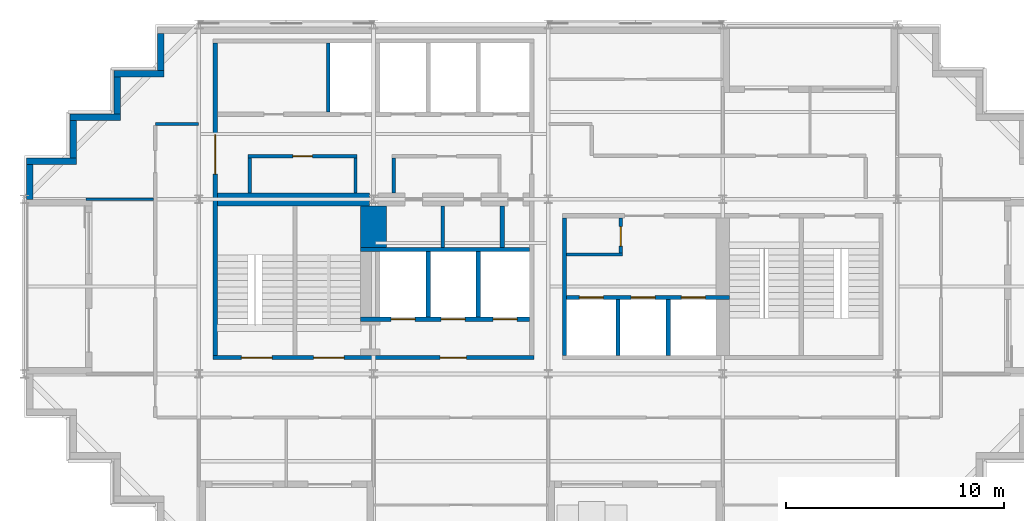
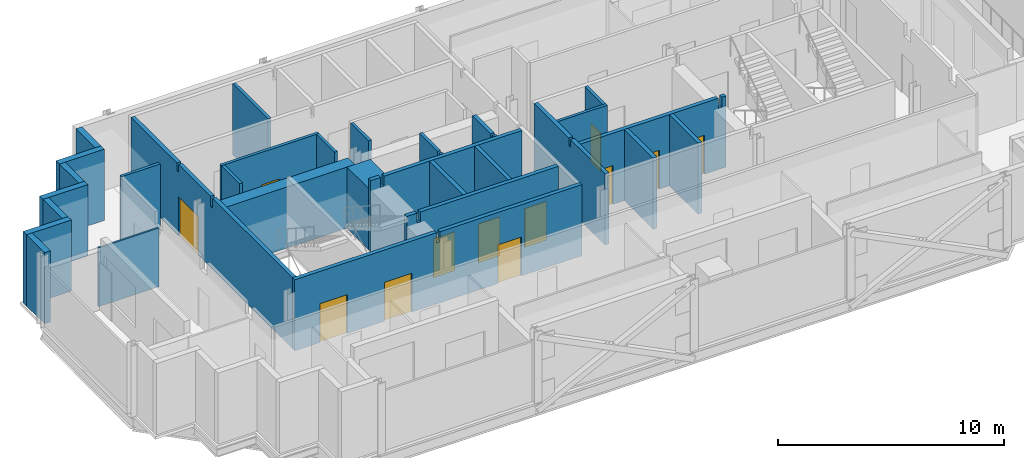
# One storey, part 5 of 10: 30 walls, 12 doors, 12 openings.
"""IFC4 building model written with IfcOpenShell, lengths in metres."""

from ifc_helpers import new_model, si_unit, direction, frame, frame_2d, origin, place, context, subcontext, project, spatial, polyline, rectangle, outline, extrude, material, layer, layer_set, type_object, element, fill, save


model = new_model("IFC4")

# Units and contexts
model_context = context("Model", 3, precision=1e-05, world=origin(), true_north=direction((0.0, 1.0)))
body_context = subcontext(model_context, "Body", "Model", "MODEL_VIEW")
ifc_project = project(units=[si_unit("LENGTHUNIT", "METRE"), si_unit("AREAUNIT", "SQUARE_METRE"), si_unit("VOLUMEUNIT", "CUBIC_METRE"), si_unit("PLANEANGLEUNIT", "RADIAN"), si_unit("MASSUNIT", "GRAM", prefix="KILO")], contexts=[model_context])

# Site, building, storey
site_placement = place(None, origin())
site = spatial("IfcSite", under=ifc_project, at=site_placement, CompositionType="ELEMENT")
building_placement = place(site_placement, origin())
building = spatial("IfcBuilding", under=site, at=building_placement, Name="Immortelle Media Tower", CompositionType="ELEMENT")
storey_placement = place(building_placement, frame((0.0, 0.0, 263.0)))
storey = spatial("IfcBuildingStorey", under=building, at=storey_placement, Name="L57", CompositionType="ELEMENT", Elevation=263.0)

# Wall
ifc_material_1 = material(Name="Fire-rated gypsum board", Category="gypsum")
ifc_layer_1 = layer(ifc_material_1, 0.02490234375)
ifc_material_2 = material(Name="Steel ASTM A653 SS Gr 50 stud frame with mineral wool", Category="steel")
ifc_layer_2 = layer(ifc_material_2, 0.10009765625)
ifc_layer_3 = layer(ifc_material_1, 0.02490234375)
ifc_layer_set_1 = layer_set([ifc_layer_1, ifc_layer_2, ifc_layer_3], Name="Steel ASTM A653 SS Gr 50 stud frame with mineral wool")
wall_type_1 = type_object("IfcWallType", Name="Core partition 150", PredefinedType="PARTITIONING", material=ifc_layer_set_1)
wall_1_placement = place(storey_placement, frame((10.324951171875, 16.300048828125, 0.0), z_axis=(0.0, 0.0, 1.0), x_axis=(0.0, 1.0, 0.0)))
element("IfcWall", 1, at=wall_1_placement, inside=storey, type_object=wall_type_1, Name="Core partition SW", PredefinedType="PARTITIONING", context=body_context, shape_type="SweptSolid", body=[
    extrude(rectangle(XDim=1.599853515625, YDim=0.14990234375, at=frame_2d((0.7998046875, 0.0))), origin(), (0.0, 0.0, 1.0), 3.85009765625),
])

# Wall, opening, door
wall_2_placement = place(storey_placement, frame((10.25, 17.97509765625, 0.0), z_axis=(0.0, 0.0, 1.0), x_axis=(1.0, 0.0, 0.0)))
wall_2 = element("IfcWall", 2, at=wall_2_placement, inside=storey, type_object=wall_type_1, Name="Core partition SW", PredefinedType="PARTITIONING", context=body_context, shape_type="SweptSolid", body=[
    extrude(rectangle(XDim=5.0, YDim=0.14990234375, at=frame_2d((2.5, 0.0))), origin(), (0.0, 0.0, 1.0), 3.85009765625),
])
opening_1_placement = place(wall_2_placement, frame((2.949951171875, 0.0, 0.0), z_axis=(0.0, 0.0, 1.0), x_axis=(-1.0, 0.0, 0.0)))
opening_1 = element("IfcOpeningElement", 3, at=opening_1_placement, cuts=wall_2, Name="Opening X2-K004", PredefinedType="OPENING", context=body_context, shape_type="SweptSolid", body=[
    extrude(rectangle(XDim=0.89990234375, YDim=2.10009765625, at=frame_2d((0.449951171875, 1.050048828125))), frame((0.0, 0.0849609375, 0.0), z_axis=(0.0, -1.0, 0.0), x_axis=(1.0, 0.0, 0.0)), (0.0, 0.0, 1.0), 0.169921875),
])
ifc_material_3 = material(Name="Timber", Category="wood")
door_type_1 = type_object("IfcDoorType", Name="Room door 900 x 2100", OperationType="NOTDEFINED", PredefinedType="NOTDEFINED", material=ifc_material_3)
door_1_placement = place(opening_1_placement, origin())
door_1 = element("IfcDoor", 4, at=door_1_placement, inside=storey, type_object=door_type_1, Name="Room X2-K004", OperationType="SINGLE_SWING_RIGHT", OverallHeight=2.10009765625, OverallWidth=0.89990234375, PredefinedType="NOTDEFINED", context=body_context, shape_type="SweptSolid", body=[
    extrude(rectangle(XDim=0.89990234375, YDim=2.10009765625, at=frame_2d((0.449951171875, 1.050048828125))), frame((0.0, 0.02490234375, 0.0), z_axis=(0.0, -1.0, 0.0), x_axis=(1.0, 0.0, 0.0)), (0.0, 0.0, 1.0), 0.050048828125),
])
fill(opening_1, door_1)

# Walls
wall_3_placement = place(storey_placement, frame((13.925048828125, 20.0, 0.0), z_axis=(0.0, 0.0, 1.0), x_axis=(0.0, 1.0, 0.0)))
element("IfcWall", 5, at=wall_3_placement, inside=storey, type_object=wall_type_1, Name="Core partition SW", PredefinedType="PARTITIONING", context=body_context, shape_type="SweptSolid", body=[
    extrude(rectangle(XDim=3.14990234375, YDim=0.14990234375, at=frame_2d((1.574951171875, 0.0))), origin(), (0.0, 0.0, 1.0), 3.85009765625),
])
for number, where, z_axis, x_axis, name in (
    (6, (15.175048828125, 16.300048828125, 0.0), (0.0, 0.0, 1.0), (0.0, 1.0, 0.0), "Core partition SW"),
    (7, (16.925048828125, 16.300048828125, 0.0), (0.0, 0.0, 1.0), (0.0, 1.0, 0.0), "Core partition SW"),
):
    element("IfcWall", number, at=place(storey_placement, frame(where, z_axis=z_axis, x_axis=x_axis)), inside=storey, type_object=wall_type_1, Name=name, PredefinedType="PARTITIONING", context=body_context, shape_type="SweptSolid", body=[
        extrude(rectangle(XDim=1.599853515625, YDim=0.14990234375, at=frame_2d((0.7998046875, 0.0))), origin(), (0.0, 0.0, 1.0), 3.85009765625),
    ])
wall_4_placement = place(storey_placement, frame((19.175048828125, 13.800048828125, 0.0), z_axis=(0.0, 0.0, 1.0), x_axis=(0.0, 1.0, 0.0)))
element("IfcWall", 8, at=wall_4_placement, inside=storey, type_object=wall_type_1, Name="Core partition SW", PredefinedType="PARTITIONING", context=body_context, shape_type="SweptSolid", body=[
    extrude(outline(polyline([(0.0, 0.0), (1.89990234375, 0.0), (1.89990234375, 3.85009765625), (0.27490234375, 3.85009765625), (0.27392578125, 3.43994140625), (0.1259765625, 3.43994140625), (0.125, 3.85009765625), (0.0, 3.85009765625), (0.0, 0.0)])), frame((0.0, 0.074951171875, 0.0), z_axis=(0.0, -1.0, 0.0), x_axis=(1.0, 0.0, 0.0)), (0.0, 0.0, 1.0), 0.14990234375),
])
wall_5_placement = place(storey_placement, frame((24.85009765625, 13.47509765625, 0.0), z_axis=(0.0, 0.0, 1.0), x_axis=(1.0, 0.0, 0.0)))
element("IfcWall", 9, at=wall_5_placement, inside=storey, type_object=wall_type_1, Name="Core partition SE", PredefinedType="PARTITIONING", context=body_context, shape_type="SweptSolid", body=[
    extrude(rectangle(XDim=2.5498046875, YDim=0.14990234375, at=frame_2d((1.27490234375, 0.0))), origin(), (0.0, 0.0, 1.0), 3.85009765625),
])

# Wall, opening, door
wall_6_placement = place(storey_placement, frame((27.324951171875, 13.550048828125, 0.0), z_axis=(0.0, 0.0, 1.0), x_axis=(0.0, 1.0, 0.0)))
wall_6 = element("IfcWall", 10, at=wall_6_placement, inside=storey, type_object=wall_type_1, Name="Core partition SE", PredefinedType="PARTITIONING", context=body_context, shape_type="SweptSolid", body=[
    extrude(rectangle(XDim=1.599853515625, YDim=0.14990234375, at=frame_2d((0.7998046875, 0.0))), origin(), (0.0, 0.0, 1.0), 3.85009765625),
])
opening_2_placement = place(wall_6_placement, frame((0.300048828125, 0.0, 0.0)))
opening_2 = element("IfcOpeningElement", 11, at=opening_2_placement, cuts=wall_6, Name="Opening X2-K021", PredefinedType="OPENING", context=body_context, shape_type="SweptSolid", body=[
    extrude(rectangle(XDim=0.89990234375, YDim=2.10009765625, at=frame_2d((0.449951171875, 1.050048828125))), frame((0.0, 0.0849609375, 0.0), z_axis=(0.0, -1.0, 0.0), x_axis=(1.0, 0.0, 0.0)), (0.0, 0.0, 1.0), 0.169921875),
])
ifc_material_4 = material(Name="Galvanised steel door leaf and frame ASTM A653", Category="steel")
door_type_2 = type_object("IfcDoorType", Name="Service door 900 x 2100", OperationType="NOTDEFINED", PredefinedType="NOTDEFINED", material=ifc_material_4)
door_2_placement = place(opening_2_placement, origin())
door_2 = element("IfcDoor", 12, at=door_2_placement, inside=storey, type_object=door_type_2, Name="Service X2-K021", OperationType="SINGLE_SWING_LEFT", OverallHeight=2.10009765625, OverallWidth=0.89990234375, PredefinedType="NOTDEFINED", context=body_context, shape_type="SweptSolid", body=[
    extrude(rectangle(XDim=0.89990234375, YDim=2.10009765625, at=frame_2d((0.449951171875, 1.050048828125))), frame((0.0, 0.02490234375, 0.0), z_axis=(0.0, -1.0, 0.0), x_axis=(1.0, 0.0, 0.0)), (0.0, 0.0, 1.0), 0.050048828125),
])
fill(opening_2, door_2)

# Wall, openings, doors
ifc_layer_4 = layer(ifc_material_1, 0.03759765625)
ifc_layer_5 = layer(ifc_material_2, 0.125)
ifc_layer_6 = layer(ifc_material_1, 0.03759765625)
ifc_layer_set_2 = layer_set([ifc_layer_4, ifc_layer_5, ifc_layer_6], Name="Steel ASTM A653 SS Gr 50 stud frame with mineral wool")
wall_type_2 = type_object("IfcWallType", Name="Core shaft wall 200", PredefinedType="PARTITIONING", material=ifc_layer_set_2)
wall_7_placement = place(storey_placement, frame((15.39990234375, 10.5, 0.0), z_axis=(0.0, 0.0, 1.0), x_axis=(1.0, 0.0, 0.0)))
wall_7 = element("IfcWall", 13, at=wall_7_placement, inside=storey, type_object=wall_type_2, Name="Core shaft wall SW", PredefinedType="PARTITIONING", context=body_context, shape_type="SweptSolid", body=[
    extrude(outline(polyline([(0.0, 0.0), (7.75, 0.0), (7.75, 3.85009765625), (0.6884765625, 3.85009765625), (0.6875, 3.30810546875), (0.512451171875, 3.30810546875), (0.511474609375, 3.85009765625), (0.0, 3.85009765625), (0.0, 0.0)])), frame((0.0, 0.10009765625, 0.0), z_axis=(0.0, -1.0, 0.0), x_axis=(1.0, 0.0, 0.0)), (0.0, 0.0, 1.0), 0.199951171875),
])
opening_3_placement = place(wall_7_placement, frame((1.39990234375, 0.0, 0.0)))
opening_3 = element("IfcOpeningElement", 14, at=opening_3_placement, cuts=wall_7, Name="Opening LD", PredefinedType="OPENING", context=body_context, shape_type="SweptSolid", body=[
    extrude(rectangle(XDim=1.10009765625, YDim=2.10009765625, at=frame_2d((0.550048828125, 1.050048828125))), frame((0.0, 0.10986328125, 0.0), z_axis=(0.0, -1.0, 0.0), x_axis=(1.0, 0.0, 0.0)), (0.0, 0.0, 1.0), 0.219970703125),
])
opening_4_placement = place(wall_7_placement, frame((3.699951171875, 0.0, 0.0)))
opening_4 = element("IfcOpeningElement", 15, at=opening_4_placement, cuts=wall_7, Name="Opening LD", PredefinedType="OPENING", context=body_context, shape_type="SweptSolid", body=[
    extrude(rectangle(XDim=1.10009765625, YDim=2.10009765625, at=frame_2d((0.550048828125, 1.050048828125))), frame((0.0, 0.10986328125, 0.0), z_axis=(0.0, -1.0, 0.0), x_axis=(1.0, 0.0, 0.0)), (0.0, 0.0, 1.0), 0.219970703125),
])
opening_5_placement = place(wall_7_placement, frame((6.074951171875, 0.0, 0.0)))
opening_5 = element("IfcOpeningElement", 16, at=opening_5_placement, cuts=wall_7, Name="Opening LD", PredefinedType="OPENING", context=body_context, shape_type="SweptSolid", body=[
    extrude(rectangle(XDim=1.10009765625, YDim=2.10009765625, at=frame_2d((0.550048828125, 1.050048828125))), frame((0.0, 0.10986328125, 0.0), z_axis=(0.0, -1.0, 0.0), x_axis=(1.0, 0.0, 0.0)), (0.0, 0.0, 1.0), 0.219970703125),
])
ifc_material_5 = material(Name="Stainless steel AISI 304", Category="steel")
door_type_3 = type_object("IfcDoorType", Name="Landing door 1100 x 2100", OperationType="SLIDING_TO_LEFT", PredefinedType="NOTDEFINED", material=ifc_material_5)
door_3_placement = place(opening_3_placement, origin())
door_3 = element("IfcDoor", 17, at=door_3_placement, inside=storey, type_object=door_type_3, Name="Landing door FF1 L57", OperationType="SLIDING_TO_LEFT", OverallHeight=2.10009765625, OverallWidth=1.10009765625, PredefinedType="NOTDEFINED", context=body_context, shape_type="SweptSolid", body=[
    extrude(rectangle(XDim=1.10009765625, YDim=2.10009765625, at=frame_2d((0.550048828125, 1.050048828125))), frame((0.0, 0.02490234375, 0.0), z_axis=(0.0, -1.0, 0.0), x_axis=(1.0, 0.0, 0.0)), (0.0, 0.0, 1.0), 0.050048828125),
])
fill(opening_3, door_3)
door_4_placement = place(opening_4_placement, origin())
door_4 = element("IfcDoor", 18, at=door_4_placement, inside=storey, type_object=door_type_3, Name="Landing door FF2 L57", OperationType="SLIDING_TO_LEFT", OverallHeight=2.10009765625, OverallWidth=1.10009765625, PredefinedType="NOTDEFINED", context=body_context, shape_type="SweptSolid", body=[
    extrude(rectangle(XDim=1.10009765625, YDim=2.10009765625, at=frame_2d((0.550048828125, 1.050048828125))), frame((0.0, 0.02490234375, 0.0), z_axis=(0.0, -1.0, 0.0), x_axis=(1.0, 0.0, 0.0)), (0.0, 0.0, 1.0), 0.050048828125),
])
fill(opening_4, door_4)
door_5_placement = place(opening_5_placement, origin())
door_5 = element("IfcDoor", 19, at=door_5_placement, inside=storey, type_object=door_type_3, Name="Landing door FF3 L57", OperationType="SLIDING_TO_LEFT", OverallHeight=2.10009765625, OverallWidth=1.10009765625, PredefinedType="NOTDEFINED", context=body_context, shape_type="SweptSolid", body=[
    extrude(rectangle(XDim=1.10009765625, YDim=2.10009765625, at=frame_2d((0.550048828125, 1.050048828125))), frame((0.0, 0.02490234375, 0.0), z_axis=(0.0, -1.0, 0.0), x_axis=(1.0, 0.0, 0.0)), (0.0, 0.0, 1.0), 0.050048828125),
])
fill(opening_5, door_5)

# Walls
wall_8_placement = place(storey_placement, frame((15.39990234375, 13.699951171875, 0.0), z_axis=(0.0, 0.0, 1.0), x_axis=(1.0, 0.0, 0.0)))
element("IfcWall", 20, at=wall_8_placement, inside=storey, type_object=wall_type_2, Name="Core shaft wall SW", PredefinedType="PARTITIONING", context=body_context, shape_type="SweptSolid", body=[
    extrude(outline(polyline([(0.0, 0.0), (7.75, 0.0), (7.75, 3.85009765625), (0.6884765625, 3.85009765625), (0.6875, 3.30810546875), (0.512451171875, 3.30810546875), (0.511474609375, 3.85009765625), (0.0, 3.85009765625), (0.0, 0.0)])), frame((0.0, 0.10009765625, 0.0), z_axis=(0.0, -1.0, 0.0), x_axis=(1.0, 0.0, 0.0)), (0.0, 0.0, 1.0), 0.199951171875),
])
for number, where, z_axis, x_axis, name in (
    (21, (18.5, 10.60009765625, 0.0), (0.0, 0.0, 1.0), (0.0, 1.0, 0.0), "Core shaft wall SW"),
    (22, (20.800048828125, 10.60009765625, 0.0), (0.0, 0.0, 1.0), (0.0, 1.0, 0.0), "Core shaft wall SW"),
):
    element("IfcWall", number, at=place(storey_placement, frame(where, z_axis=z_axis, x_axis=x_axis)), inside=storey, type_object=wall_type_2, Name=name, PredefinedType="PARTITIONING", context=body_context, shape_type="SweptSolid", body=[
        extrude(rectangle(XDim=3.0, YDim=0.199951171875, at=frame_2d((1.5, 0.0))), origin(), (0.0, 0.0, 1.0), 3.85009765625),
    ])
wall_9_placement = place(storey_placement, frame((21.89990234375, 13.800048828125, 0.0), z_axis=(0.0, 0.0, 1.0), x_axis=(0.0, 1.0, 0.0)))
element("IfcWall", 23, at=wall_9_placement, inside=storey, type_object=wall_type_2, Name="Core shaft wall SW", PredefinedType="PARTITIONING", context=body_context, shape_type="SweptSolid", body=[
    extrude(outline(polyline([(0.0, 0.0), (1.89990234375, 0.0), (1.89990234375, 3.85009765625), (0.27490234375, 3.85009765625), (0.27392578125, 3.43994140625), (0.1259765625, 3.43994140625), (0.125, 3.85009765625), (0.0, 3.85009765625), (0.0, 0.0)])), frame((0.0, 0.10009765625, 0.0), z_axis=(0.0, -1.0, 0.0), x_axis=(1.0, 0.0, 0.0)), (0.0, 0.0, 1.0), 0.199951171875),
])
wall_10_placement = place(storey_placement, frame((24.75, 8.85009765625, 0.0), z_axis=(0.0, 0.0, 1.0), x_axis=(0.0, 1.0, 0.0)))
element("IfcWall", 24, at=wall_10_placement, inside=storey, type_object=wall_type_2, Name="Core shaft wall SE", PredefinedType="PARTITIONING", context=body_context, shape_type="SweptSolid", body=[
    extrude(outline(polyline([(0.0, 0.0), (6.2998046875, 0.0), (6.300048828125, 3.85009765625), (3.22509765625, 3.85009765625), (3.22412109375, 3.43994140625), (3.075927734375, 3.43994140625), (3.074951171875, 3.85009765625), (0.0, 3.85009765625), (0.0, 0.0)])), frame((0.0, 0.10009765625, 0.0), z_axis=(0.0, -1.0, 0.0), x_axis=(1.0, 0.0, 0.0)), (0.0, 0.0, 1.0), 0.199951171875),
])

# Wall, openings, doors
wall_11_placement = place(storey_placement, frame((24.85009765625, 11.5, 0.0), z_axis=(0.0, 0.0, 1.0), x_axis=(1.0, 0.0, 0.0)))
wall_11 = element("IfcWall", 25, at=wall_11_placement, inside=storey, type_object=wall_type_2, Name="Core shaft wall SE", PredefinedType="PARTITIONING", context=body_context, shape_type="SweptSolid", body=[
    extrude(outline(polyline([(0.0, 0.0), (7.449951171875, 0.0), (7.449951171875, 3.85009765625), (7.238525390625, 3.85009765625), (7.237548828125, 3.30810546875), (7.0625, 3.30810546875), (7.0615234375, 3.85009765625), (0.0, 3.85009765625), (0.0, 0.0)])), frame((0.0, 0.10009765625, 0.0), z_axis=(0.0, -1.0, 0.0), x_axis=(1.0, 0.0, 0.0)), (0.0, 0.0, 1.0), 0.199951171875),
])
opening_6_placement = place(wall_11_placement, frame((0.574951171875, 0.0, 0.0)))
opening_6 = element("IfcOpeningElement", 26, at=opening_6_placement, cuts=wall_11, Name="Opening LD", PredefinedType="OPENING", context=body_context, shape_type="SweptSolid", body=[
    extrude(rectangle(XDim=1.10009765625, YDim=2.10009765625, at=frame_2d((0.550048828125, 1.050048828125))), frame((0.0, 0.10986328125, 0.0), z_axis=(0.0, -1.0, 0.0), x_axis=(1.0, 0.0, 0.0)), (0.0, 0.0, 1.0), 0.219970703125),
])
opening_7_placement = place(wall_11_placement, frame((2.949951171875, 0.0, 0.0)))
opening_7 = element("IfcOpeningElement", 27, at=opening_7_placement, cuts=wall_11, Name="Opening LD", PredefinedType="OPENING", context=body_context, shape_type="SweptSolid", body=[
    extrude(rectangle(XDim=1.10009765625, YDim=2.10009765625, at=frame_2d((0.550048828125, 1.050048828125))), frame((0.0, 0.10986328125, 0.0), z_axis=(0.0, -1.0, 0.0), x_axis=(1.0, 0.0, 0.0)), (0.0, 0.0, 1.0), 0.219970703125),
])
opening_8_placement = place(wall_11_placement, frame((5.25, 0.0, 0.0)))
opening_8 = element("IfcOpeningElement", 28, at=opening_8_placement, cuts=wall_11, Name="Opening LD", PredefinedType="OPENING", context=body_context, shape_type="SweptSolid", body=[
    extrude(rectangle(XDim=1.10009765625, YDim=2.10009765625, at=frame_2d((0.550048828125, 1.050048828125))), frame((0.0, 0.10986328125, 0.0), z_axis=(0.0, -1.0, 0.0), x_axis=(1.0, 0.0, 0.0)), (0.0, 0.0, 1.0), 0.219970703125),
])
door_6_placement = place(opening_6_placement, origin())
door_6 = element("IfcDoor", 29, at=door_6_placement, inside=storey, type_object=door_type_3, Name="Landing door HS1 L57", OperationType="SLIDING_TO_LEFT", OverallHeight=2.10009765625, OverallWidth=1.10009765625, PredefinedType="NOTDEFINED", context=body_context, shape_type="SweptSolid", body=[
    extrude(rectangle(XDim=1.10009765625, YDim=2.10009765625, at=frame_2d((0.550048828125, 1.050048828125))), frame((0.0, 0.02490234375, 0.0), z_axis=(0.0, -1.0, 0.0), x_axis=(1.0, 0.0, 0.0)), (0.0, 0.0, 1.0), 0.050048828125),
])
fill(opening_6, door_6)
door_7_placement = place(opening_7_placement, origin())
door_7 = element("IfcDoor", 30, at=door_7_placement, inside=storey, type_object=door_type_3, Name="Landing door HS2 L57", OperationType="SLIDING_TO_LEFT", OverallHeight=2.10009765625, OverallWidth=1.10009765625, PredefinedType="NOTDEFINED", context=body_context, shape_type="SweptSolid", body=[
    extrude(rectangle(XDim=1.10009765625, YDim=2.10009765625, at=frame_2d((0.550048828125, 1.050048828125))), frame((0.0, 0.02490234375, 0.0), z_axis=(0.0, -1.0, 0.0), x_axis=(1.0, 0.0, 0.0)), (0.0, 0.0, 1.0), 0.050048828125),
])
fill(opening_7, door_7)
door_8_placement = place(opening_8_placement, origin())
door_8 = element("IfcDoor", 31, at=door_8_placement, inside=storey, type_object=door_type_3, Name="Landing door HS3 L57", OperationType="SLIDING_TO_LEFT", OverallHeight=2.10009765625, OverallWidth=1.10009765625, PredefinedType="NOTDEFINED", context=body_context, shape_type="SweptSolid", body=[
    extrude(rectangle(XDim=1.10009765625, YDim=2.10009765625, at=frame_2d((0.550048828125, 1.050048828125))), frame((0.0, 0.02490234375, 0.0), z_axis=(0.0, -1.0, 0.0), x_axis=(1.0, 0.0, 0.0)), (0.0, 0.0, 1.0), 0.050048828125),
])
fill(opening_8, door_8)

# Walls
for number, where, z_axis, x_axis, name in (
    (32, (27.199951171875, 8.85009765625, 0.0), (0.0, 0.0, 1.0), (0.0, 1.0, 0.0), "Core shaft wall SE"),
    (33, (29.5, 8.85009765625, 0.0), (0.0, 0.0, 1.0), (0.0, 1.0, 0.0), "Core shaft wall SE"),
):
    element("IfcWall", number, at=place(storey_placement, frame(where, z_axis=z_axis, x_axis=x_axis)), inside=storey, type_object=wall_type_2, Name=name, PredefinedType="PARTITIONING", context=body_context, shape_type="SweptSolid", body=[
        extrude(rectangle(XDim=2.5498046875, YDim=0.199951171875, at=frame_2d((1.27490234375, 0.0))), origin(), (0.0, 0.0, 1.0), 3.85009765625),
    ])
ifc_layer_7 = layer(ifc_material_1, 0.012451171875)
ifc_layer_8 = layer(ifc_material_2, 0.125)
ifc_layer_9 = layer(ifc_material_1, 0.012451171875)
ifc_layer_set_3 = layer_set([ifc_layer_7, ifc_layer_8, ifc_layer_9], Name="Steel ASTM A653 SS Gr 50 stud frame with mineral wool")
wall_type_3 = type_object("IfcWallType", Name="Corridor wall 150", PredefinedType="PARTITIONING", material=ifc_layer_set_3)
wall_12_placement = place(storey_placement, frame((6.0, 19.449951171875, 0.0), z_axis=(0.0, 0.0, 1.0), x_axis=(1.0, 0.0, 0.0)))
element("IfcWall", 34, at=wall_12_placement, inside=storey, type_object=wall_type_3, Name="Partition L57-025", PredefinedType="PARTITIONING", context=body_context, shape_type="SweptSolid", body=[
    extrude(rectangle(XDim=1.969970703125, YDim=0.14990234375, at=frame_2d((0.98486328125, 0.0))), origin(), (0.0, 0.0, 1.0), 3.85009765625),
])
ifc_material_6 = material(Name="Pale aluminium cladding panel", Category="aluminium")
ifc_layer_10 = layer(ifc_material_6, 0.030029296875)
ifc_layer_11 = layer(ifc_material_2, 0.257568359375)
ifc_material_7 = material(Name="Moisture-resistant gypsum board", Category="gypsum")
ifc_layer_12 = layer(ifc_material_7, 0.012451171875)
ifc_layer_set_4 = layer_set([ifc_layer_10, ifc_layer_11, ifc_layer_12], Name="Steel ASTM A653 SS Gr 50 stud frame with mineral wool")
wall_type_4 = type_object("IfcWallType", Name="Facade wall 300", PredefinedType="SOLIDWALL", material=ifc_layer_set_4)
wall_13_placement = place(storey_placement, frame((6.25, 23.60009765625, 0.0), z_axis=(0.0, 0.0, 1.0), x_axis=(0.0, -1.0, 0.0)))
element("IfcWall", 35, at=wall_13_placement, inside=storey, type_object=wall_type_4, Name="Facade wall L57 W21", PredefinedType="SOLIDWALL", context=body_context, shape_type="SweptSolid", body=[
    extrude(rectangle(XDim=1.7001953125, YDim=0.300048828125, at=frame_2d((0.85009765625, 0.0))), origin(), (0.0, 0.0, 1.0), 3.85009765625),
])
wall_14_placement = place(storey_placement, frame((6.39990234375, 21.75, 0.0), z_axis=(0.0, 0.0, 1.0), x_axis=(-1.0, 0.0, 0.0)))
element("IfcWall", 36, at=wall_14_placement, inside=storey, type_object=wall_type_4, Name="Facade wall L57 N22", PredefinedType="SOLIDWALL", context=body_context, shape_type="SweptSolid", body=[
    extrude(rectangle(XDim=2.2998046875, YDim=0.300048828125, at=frame_2d((1.14990234375, 0.0))), origin(), (0.0, 0.0, 1.0), 3.85009765625),
])
wall_15_placement = place(storey_placement, frame((4.25, 21.60009765625, 0.0), z_axis=(0.0, 0.0, 1.0), x_axis=(0.0, -1.0, 0.0)))
element("IfcWall", 37, at=wall_15_placement, inside=storey, type_object=wall_type_4, Name="Facade wall L57 W23", PredefinedType="SOLIDWALL", context=body_context, shape_type="SweptSolid", body=[
    extrude(rectangle(XDim=1.7001953125, YDim=0.300048828125, at=frame_2d((0.85009765625, 0.0))), origin(), (0.0, 0.0, 1.0), 3.85009765625),
])
wall_16_placement = place(storey_placement, frame((4.39990234375, 19.75, 0.0), z_axis=(0.0, 0.0, 1.0), x_axis=(-1.0, 0.0, 0.0)))
element("IfcWall", 38, at=wall_16_placement, inside=storey, type_object=wall_type_4, Name="Facade wall L57 N24", PredefinedType="SOLIDWALL", context=body_context, shape_type="SweptSolid", body=[
    extrude(rectangle(XDim=2.2998046875, YDim=0.300048828125, at=frame_2d((1.14990234375, 0.0))), origin(), (0.0, 0.0, 1.0), 3.85009765625),
])
wall_17_placement = place(storey_placement, frame((2.25, 19.60009765625, 0.0), z_axis=(0.0, 0.0, 1.0), x_axis=(0.0, -1.0, 0.0)))
element("IfcWall", 39, at=wall_17_placement, inside=storey, type_object=wall_type_4, Name="Facade wall L57 W25", PredefinedType="SOLIDWALL", context=body_context, shape_type="SweptSolid", body=[
    extrude(rectangle(XDim=1.7001953125, YDim=0.300048828125, at=frame_2d((0.85009765625, 0.0))), origin(), (0.0, 0.0, 1.0), 3.85009765625),
])
wall_18_placement = place(storey_placement, frame((2.39990234375, 17.75, 0.0), z_axis=(0.0, 0.0, 1.0), x_axis=(-1.0, 0.0, 0.0)))
element("IfcWall", 40, at=wall_18_placement, inside=storey, type_object=wall_type_4, Name="Facade wall L57 N26", PredefinedType="SOLIDWALL", context=body_context, shape_type="SweptSolid", body=[
    extrude(rectangle(XDim=2.2998046875, YDim=0.300048828125, at=frame_2d((1.14990234375, 0.0))), origin(), (0.0, 0.0, 1.0), 3.85009765625),
])
wall_19_placement = place(storey_placement, frame((0.25, 17.60009765625, 0.0), z_axis=(0.0, 0.0, 1.0), x_axis=(0.0, -1.0, 0.0)))
element("IfcWall", 41, at=wall_19_placement, inside=storey, type_object=wall_type_4, Name="Facade wall L57 W27", PredefinedType="SOLIDWALL", context=body_context, shape_type="SweptSolid", body=[
    extrude(rectangle(XDim=1.60009765625, YDim=0.300048828125, at=frame_2d((0.800048828125, 0.0))), origin(), (0.0, 0.0, 1.0), 3.85009765625),
])
ifc_material_8 = material(Name="Gypsum board", Category="gypsum")
ifc_layer_13 = layer(ifc_material_8, 0.012451171875)
ifc_layer_14 = layer(ifc_material_2, 0.074951171875)
ifc_layer_15 = layer(ifc_material_8, 0.012451171875)
ifc_layer_set_5 = layer_set([ifc_layer_13, ifc_layer_14, ifc_layer_15], Name="Steel ASTM A653 SS Gr 50 stud frame with mineral wool")
wall_type_5 = type_object("IfcWallType", Name="Partition 100", PredefinedType="PARTITIONING", material=ifc_layer_set_5)
wall_20_placement = place(storey_placement, frame((2.830078125, 16.0, 0.0), z_axis=(0.0, 0.0, 1.0), x_axis=(1.0, 0.0, 0.0)))
element("IfcWall", 42, at=wall_20_placement, inside=storey, type_object=wall_type_5, Name="Partition L57-015", PredefinedType="PARTITIONING", context=body_context, shape_type="SweptSolid", body=[
    extrude(rectangle(XDim=3.094970703125, YDim=0.10009765625, at=frame_2d((1.54736328125, 0.0))), origin(), (0.0, 0.0, 1.0), 3.172119140625),
])
ifc_material_9 = material(Name="Concrete C60", Category="concrete")
ifc_layer_16 = layer(ifc_material_9, 1.199951171875)
ifc_layer_set_6 = layer_set([ifc_layer_16], Name="Concrete C60")
wall_type_6 = type_object("IfcWallType", Name="Stair shaft wall 1200", PredefinedType="PARTITIONING", material=ifc_layer_set_6)
wall_21_placement = place(storey_placement, frame((16.0, 13.800048828125, 0.0), z_axis=(0.0, 0.0, 1.0), x_axis=(0.0, 1.0, 0.0)))
element("IfcWall", 43, at=wall_21_placement, inside=storey, type_object=wall_type_6, Name="Stair shaft wall SW", PredefinedType="PARTITIONING", context=body_context, shape_type="SweptSolid", body=[
    extrude(rectangle(XDim=1.89990234375, YDim=1.199951171875, at=frame_2d((0.949951171875, 0.0))), origin(), (0.0, 0.0, 1.0), 3.30810546875),
])

# Wall, openings, doors
ifc_layer_17 = layer(ifc_material_9, 0.199951171875)
ifc_layer_set_7 = layer_set([ifc_layer_17], Name="Concrete C60")
wall_type_7 = type_object("IfcWallType", Name="Stair shaft wall 200", PredefinedType="PARTITIONING", material=ifc_layer_set_7)
wall_22_placement = place(storey_placement, frame((8.64990234375, 8.75, 0.0), z_axis=(0.0, 0.0, 1.0), x_axis=(1.0, 0.0, 0.0)))
wall_22 = element("IfcWall", 44, at=wall_22_placement, inside=storey, type_object=wall_type_7, Name="Stair shaft wall SW", PredefinedType="PARTITIONING", context=body_context, shape_type="SweptSolid", body=[
    extrude(outline(polyline([(0.0, 0.0), (14.7001953125, 0.0), (14.699951171875, 3.85009765625), (7.4384765625, 3.85009765625), (7.4375, 3.30810546875), (7.262451171875, 3.30810546875), (7.261474609375, 3.85009765625), (0.0, 3.85009765625), (0.0, 0.0)])), frame((0.0, 0.10009765625, 0.0), z_axis=(0.0, -1.0, 0.0), x_axis=(1.0, 0.0, 0.0)), (0.0, 0.0, 1.0), 0.199951171875),
])
opening_9_placement = place(wall_22_placement, frame((1.300048828125, 0.0, 0.0)))
opening_9 = element("IfcOpeningElement", 45, at=opening_9_placement, cuts=wall_22, Name="Opening X2-K002", PredefinedType="OPENING", context=body_context, shape_type="SweptSolid", body=[
    extrude(rectangle(XDim=1.39990234375, YDim=2.10009765625, at=frame_2d((0.699951171875, 1.050048828125))), frame((0.0, 0.10986328125, 0.0), z_axis=(0.0, -1.0, 0.0), x_axis=(1.0, 0.0, 0.0)), (0.0, 0.0, 1.0), 0.219970703125),
])
opening_10_placement = place(wall_22_placement, frame((4.60009765625, 0.0, 0.0)))
opening_10 = element("IfcOpeningElement", 46, at=opening_10_placement, cuts=wall_22, Name="Opening X2-K005", PredefinedType="OPENING", context=body_context, shape_type="SweptSolid", body=[
    extrude(rectangle(XDim=1.39990234375, YDim=2.10009765625, at=frame_2d((0.699951171875, 1.050048828125))), frame((0.0, 0.10986328125, 0.0), z_axis=(0.0, -1.0, 0.0), x_axis=(1.0, 0.0, 0.0)), (0.0, 0.0, 1.0), 0.219970703125),
])
opening_11_placement = place(wall_22_placement, frame((10.39990234375, 0.0, 0.0)))
opening_11 = element("IfcOpeningElement", 47, at=opening_11_placement, cuts=wall_22, Name="Opening X2-K012", PredefinedType="OPENING", context=body_context, shape_type="SweptSolid", body=[
    extrude(rectangle(XDim=1.199951171875, YDim=2.10009765625, at=frame_2d((0.60009765625, 1.050048828125))), frame((0.0, 0.10986328125, 0.0), z_axis=(0.0, -1.0, 0.0), x_axis=(1.0, 0.0, 0.0)), (0.0, 0.0, 1.0), 0.219970703125),
])
door_type_4 = type_object("IfcDoorType", Name="Fire-fighting lobby door 1200 x 2100", OperationType="NOTDEFINED", PredefinedType="NOTDEFINED", material=ifc_material_4)
door_9_placement = place(opening_11_placement, origin())
door_9 = element("IfcDoor", 48, at=door_9_placement, inside=storey, type_object=door_type_4, Name="Fire-fighting lobby X2-K012", OperationType="SINGLE_SWING_LEFT", OverallHeight=2.10009765625, OverallWidth=1.199951171875, PredefinedType="NOTDEFINED", context=body_context, shape_type="SweptSolid", body=[
    extrude(rectangle(XDim=1.199951171875, YDim=2.10009765625, at=frame_2d((0.60009765625, 1.050048828125))), frame((0.0, 0.02490234375, 0.0), z_axis=(0.0, -1.0, 0.0), x_axis=(1.0, 0.0, 0.0)), (0.0, 0.0, 1.0), 0.050048828125),
])
fill(opening_11, door_9)
door_type_5 = type_object("IfcDoorType", Name="Stair door 1400 x 2100", OperationType="DOUBLE_DOOR_SINGLE_SWING", PredefinedType="NOTDEFINED", material=ifc_material_4)
door_10_placement = place(opening_9_placement, origin())
door_10 = element("IfcDoor", 49, at=door_10_placement, inside=storey, type_object=door_type_5, Name="Stair X2-K002", OperationType="DOUBLE_DOOR_SINGLE_SWING", OverallHeight=2.10009765625, OverallWidth=1.39990234375, PredefinedType="NOTDEFINED", context=body_context, shape_type="SweptSolid", body=[
    extrude(rectangle(XDim=1.39990234375, YDim=2.10009765625, at=frame_2d((0.699951171875, 1.050048828125))), frame((0.0, 0.02490234375, 0.0), z_axis=(0.0, -1.0, 0.0), x_axis=(1.0, 0.0, 0.0)), (0.0, 0.0, 1.0), 0.050048828125),
])
fill(opening_9, door_10)
door_11_placement = place(opening_10_placement, origin())
door_11 = element("IfcDoor", 50, at=door_11_placement, inside=storey, type_object=door_type_5, Name="Stair X2-K005", OperationType="DOUBLE_DOOR_SINGLE_SWING", OverallHeight=2.10009765625, OverallWidth=1.39990234375, PredefinedType="NOTDEFINED", context=body_context, shape_type="SweptSolid", body=[
    extrude(rectangle(XDim=1.39990234375, YDim=2.10009765625, at=frame_2d((0.699951171875, 1.050048828125))), frame((0.0, 0.02490234375, 0.0), z_axis=(0.0, -1.0, 0.0), x_axis=(1.0, 0.0, 0.0)), (0.0, 0.0, 1.0), 0.050048828125),
])
fill(opening_10, door_11)

# Wall, opening, door
wall_23_placement = place(storey_placement, frame((8.75, 8.85009765625, 0.0), z_axis=(0.0, 0.0, 1.0), x_axis=(0.0, 1.0, 0.0)))
wall_23 = element("IfcWall", 51, at=wall_23_placement, inside=storey, type_object=wall_type_7, Name="Stair shaft wall SW", PredefinedType="PARTITIONING", context=body_context, shape_type="SweptSolid", body=[
    extrude(outline(polyline([(0.0, 0.0), (14.2998046875, 0.0), (14.300048828125, 3.85009765625), (10.22509765625, 3.85009765625), (10.22412109375, 3.43994140625), (10.075927734375, 3.43994140625), (10.074951171875, 3.85009765625), (7.238525390625, 3.85009765625), (7.237548828125, 3.30810546875), (7.0625, 3.30810546875), (7.0615234375, 3.85009765625), (0.0, 3.85009765625), (0.0, 0.0)])), frame((0.0, 0.10009765625, 0.0), z_axis=(0.0, -1.0, 0.0), x_axis=(1.0, 0.0, 0.0)), (0.0, 0.0, 1.0), 0.199951171875),
])
opening_12_placement = place(wall_23_placement, frame((8.300048828125, 0.0, 0.0)))
opening_12 = element("IfcOpeningElement", 52, at=opening_12_placement, cuts=wall_23, Name="Opening X2-K001", PredefinedType="OPENING", context=body_context, shape_type="SweptSolid", body=[
    extrude(rectangle(XDim=1.800048828125, YDim=2.10009765625, at=frame_2d((0.89990234375, 1.050048828125))), frame((0.0, 0.10986328125, 0.0), z_axis=(0.0, -1.0, 0.0), x_axis=(1.0, 0.0, 0.0)), (0.0, 0.0, 1.0), 0.219970703125),
])
door_type_6 = type_object("IfcDoorType", Name="Lift lobby door 1800 x 2100", OperationType="DOUBLE_DOOR_SINGLE_SWING", PredefinedType="NOTDEFINED", material=ifc_material_4)
door_12_placement = place(opening_12_placement, origin())
door_12 = element("IfcDoor", 53, at=door_12_placement, inside=storey, type_object=door_type_6, Name="Lift lobby X2-K001", OperationType="DOUBLE_DOOR_SINGLE_SWING", OverallHeight=2.10009765625, OverallWidth=1.800048828125, PredefinedType="NOTDEFINED", context=body_context, shape_type="SweptSolid", body=[
    extrude(rectangle(XDim=1.800048828125, YDim=2.10009765625, at=frame_2d((0.89990234375, 1.050048828125))), frame((0.0, 0.02490234375, 0.0), z_axis=(0.0, -1.0, 0.0), x_axis=(1.0, 0.0, 0.0)), (0.0, 0.0, 1.0), 0.050048828125),
])
fill(opening_12, door_12)

# Wall
ifc_layer_18 = layer(ifc_material_9, 0.60009765625)
ifc_layer_set_8 = layer_set([ifc_layer_18], Name="Concrete C60")
wall_type_8 = type_object("IfcWallType", Name="Stair shaft wall 600", PredefinedType="PARTITIONING", material=ifc_layer_set_8)
wall_24_placement = place(storey_placement, frame((8.85009765625, 16.0, 0.0), z_axis=(0.0, 0.0, 1.0), x_axis=(1.0, 0.0, 0.0)))
element("IfcWall", 54, at=wall_24_placement, inside=storey, type_object=wall_type_8, Name="Stair shaft wall SW", PredefinedType="PARTITIONING", context=body_context, shape_type="SweptSolid", body=[
    extrude(rectangle(XDim=6.954345703125, YDim=0.60009765625, at=frame_2d((3.47705078125, 0.0))), origin(), (0.0, 0.0, 1.0), 3.30810546875),
])

save(model, "model.ifc")
